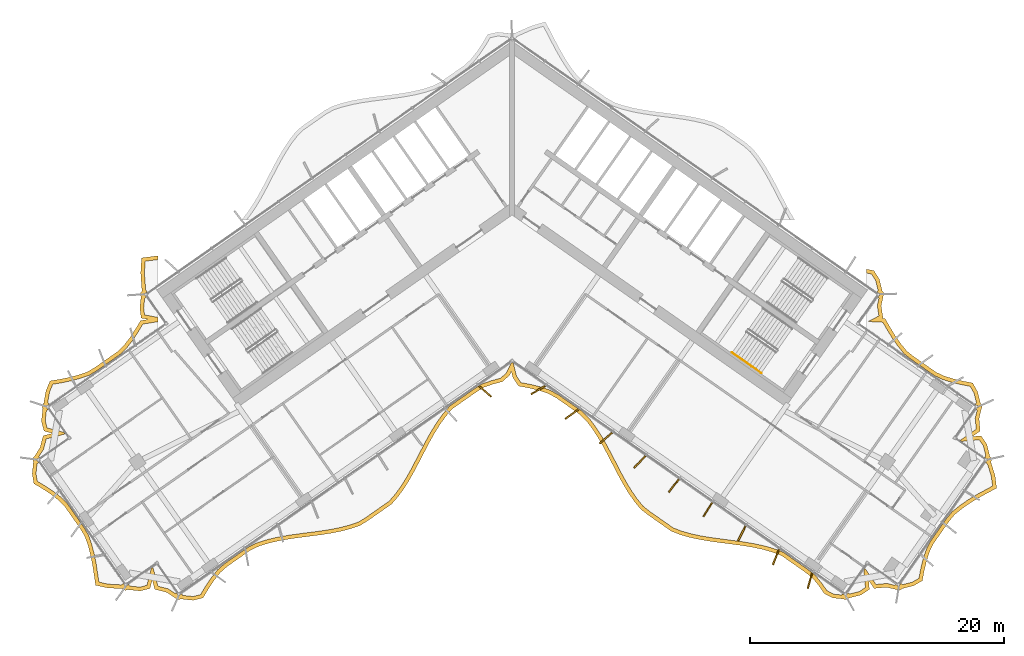
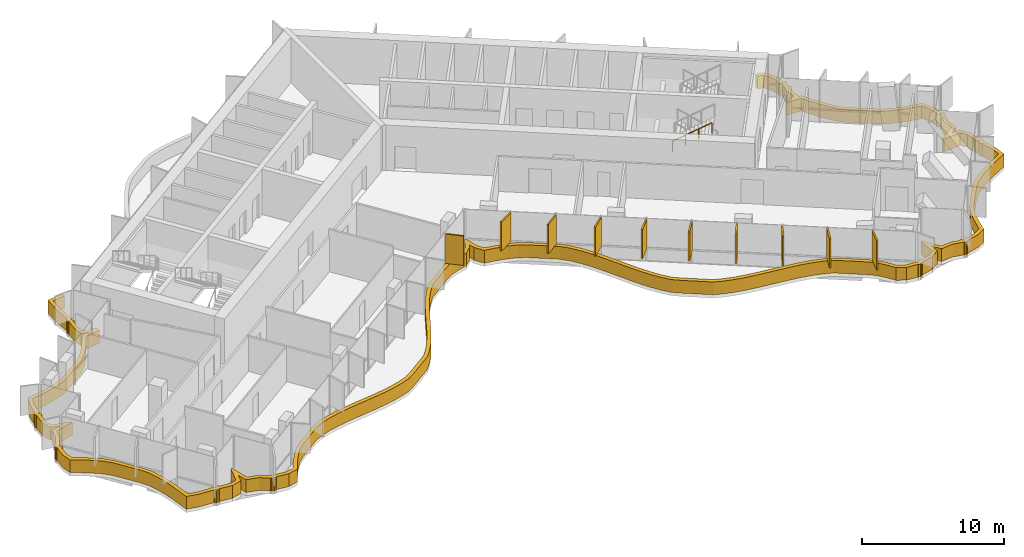
# One storey, part 21 of 23: 11 shading devices, 1 railing.
"""IFC4 building model written with IfcOpenShell, lengths in metres."""

from ifc_helpers import new_model, si_unit, direction, frame, origin, origin_2d, place, context, subcontext, project, spatial, polyline, rectangle, circle, outline, extrude, material, layer, layer_set, type_object, element, save


model = new_model("IFC4")

# Units and contexts
model_context = context("Model", 3, precision=1e-05, world=origin(), true_north=direction((0.0, 1.0)))
body_context = subcontext(model_context, "Body", "Model", "MODEL_VIEW")
ifc_project = project(units=[si_unit("LENGTHUNIT", "METRE"), si_unit("AREAUNIT", "SQUARE_METRE"), si_unit("VOLUMEUNIT", "CUBIC_METRE"), si_unit("PLANEANGLEUNIT", "RADIAN"), si_unit("MASSUNIT", "GRAM", prefix="KILO")], contexts=[model_context])

# Site, building, storey
site_placement = place(None, origin())
site = spatial("IfcSite", under=ifc_project, at=site_placement, CompositionType="ELEMENT")
building_placement = place(site_placement, origin())
building = spatial("IfcBuilding", under=site, at=building_placement, Name="Tel Ilan Convention Tower", CompositionType="ELEMENT")
storey_placement = place(building_placement, frame((0.0, 0.0, 186.60009765625)))
storey = spatial("IfcBuildingStorey", under=building, at=storey_placement, Name="L43", CompositionType="ELEMENT", Elevation=186.60009765625)

# Shading devices
ifc_material_1 = material(Name="Aluminium, bronze anodised", Category="aluminium")
ifc_layer_1 = layer(ifc_material_1, 0.1201171875)
ifc_layer_set_1 = layer_set([ifc_layer_1], Name="FIN BRONZE 1300x120")
shading_device_type_1 = type_object("IfcShadingDeviceType", Name="FIN BRONZE 1300x120", PredefinedType="USERDEFINED", material=ifc_layer_set_1)
for number, where, z_axis, x_axis, name in (
    (1, (-2.12744140625, -15.09521484375, 1.099853515625), (0.0, 0.0, 1.0), (0.753435896329, -0.657521368568, 0.0), "FIN"),
    (2, (2.048095703125, -15.001708984375, 1.099853515625), (0.0, 0.0, 1.0), (-0.866025403784, -0.5, 0.0), "FIN"),
    (3, (4.71044921875, -16.888427734375, 1.099853515625), (0.0, 0.0, 1.0), (-0.813552070258, -0.581492071294, 0.0), "FIN"),
    (4, (7.3779296875, -18.771484375, 1.099853515625), (0.0, 0.0, 1.0), (-0.753435896329, -0.657521368568, 0.0), "FIN"),
    (5, (10.050048828125, -20.650390625, 1.099853515625), (0.0, 0.0, 1.0), (-0.686241637865, -0.727373641577, 0.0), "FIN"),
    (6, (12.7265625, -22.52490234375, 1.099853515625), (0.0, 0.0, 1.0), (-0.612600545196, -0.790392669516, 0.0), "FIN"),
    (7, (15.4033203125, -24.399169921875, 1.099853515625), (0.0, 0.0, 1.0), (-0.533204432798, -0.845986425922, 0.0), "FIN"),
    (8, (18.080078125, -26.27294921875, 1.099853515625), (0.0, 0.0, 1.0), (-0.448799180206, -0.893632640321, 0.0), "FIN"),
    (9, (20.759521484375, -28.141357421875, 1.099853515625), (0.0, 0.0, 1.0), (-0.360177724803, -0.932883704733, 0.0), "FIN"),
    (10, (23.44140625, -30.00390625, 1.099853515625), (0.0, 0.0, 1.0), (-0.268172612768, -0.963370878614, 0.0), "FIN"),
):
    element("IfcShadingDevice", number, at=place(storey_placement, frame(where, z_axis=z_axis, x_axis=x_axis)), inside=storey, type_object=shading_device_type_1, Name=name, ObjectType="FIN", PredefinedType="USERDEFINED", context=body_context, shape_type="SweptSolid", body=[
        extrude(rectangle(XDim=1.300048828125, YDim=0.1201171875, at=origin_2d()), origin(), (0.0, 0.0, 1.0), 2.52001953125),
    ])
ifc_material_2 = material(Name="Aluminium, bronze anodised", Category="aluminium")
ifc_layer_2 = layer(ifc_material_2, 0.300048828125)
ifc_layer_set_2 = layer_set([ifc_layer_2], Name="LOUVRE BAND 300x1100")
shading_device_type_2 = type_object("IfcShadingDeviceType", Name="LOUVRE BAND 300x1100", PredefinedType="USERDEFINED", material=ifc_layer_set_2)
shading_device_placement = place(storey_placement, origin())
element("IfcShadingDevice", 11, at=shading_device_placement, inside=storey, type_object=shading_device_type_2, Name="LOUVRE BAND 33.01", ObjectType="LOUVRE", PredefinedType="USERDEFINED", context=body_context, shape_type="SweptSolid", body=[
    extrude(outline(polyline([(-37.76904296875, -21.58447265625), (-37.634765625, -22.36669921875), (-36.95703125, -22.768310546875), (-36.311767578125, -23.192626953125), (-35.712890625, -23.649169921875), (-35.203857421875, -24.1689453125), (-33.968994140625, -25.932373046875), (-33.60498046875, -26.5537109375), (-33.363525390625, -27.2607421875), (-33.17138671875, -28.002197265625), (-33.01904296875, -28.771728515625), (-32.89599609375, -29.5615234375), (-32.782958984375, -30.358642578125), (-31.836181640625, -30.571533203125), (-30.67138671875, -30.632080078125), (-30.642333984375, -30.67529296875), (-30.544921875, -30.740478515625), (-30.43017578125, -30.76318359375), (-30.3154296875, -30.740478515625), (-30.261474609375, -30.704345703125), (-29.26904296875, -30.81396484375), (-28.4951171875, -30.611572265625), (-28.31640625, -29.930908203125), (-28.12109375, -30.677734375), (-27.170166015625, -30.92724609375), (-26.497802734375, -31.3720703125), (-26.4931640625, -31.368896484375), (-26.464111328125, -31.412109375), (-26.366943359375, -31.47705078125), (-26.251953125, -31.5), (-26.13720703125, -31.47705078125), (-26.083251953125, -31.441162109375), (-25.097412109375, -31.54931640625), (-24.322021484375, -31.357421875), (-23.90576171875, -30.652587890625), (-23.4609375, -29.988525390625), (-22.980224609375, -29.375732421875), (-22.4169921875, -28.880859375), (-20.58544921875, -27.598388671875), (-19.900146484375, -27.277587890625), (-19.150634765625, -27.048583984375), (-18.36669921875, -26.86865234375), (-17.556396484375, -26.726806640625), (-16.728515625, -26.609619140625), (-15.0595703125, -26.39404296875), (-14.239013671875, -26.266845703125), (-13.4404296875, -26.10791015625), (-12.672119140625, -25.90576171875), (-11.941650390625, -25.649658203125), (-11.30908203125, -25.253662109375), (-9.4775390625, -23.97119140625), (-8.9716796875, -23.39404296875), (-8.509033203125, -22.75537109375), (-8.0791015625, -22.0703125), (-7.673583984375, -21.35009765625), (-6.508056640625, -19.1162109375), (-6.103271484375, -18.39501953125), (-5.67431640625, -17.708251953125), (-5.213134765625, -17.067626953125), (-4.7119140625, -16.483642578125), (-2.88037109375, -15.201416015625), (-2.25146484375, -14.800048828125), (-1.5224609375, -14.5419921875), (-0.755615234375, -14.337890625), (-0.200439453125, -13.831298828125), (-0.055419921875, -13.532470703125), (0.06640625, -14.0224609375), (0.51220703125, -14.685546875), (1.31689453125, -14.835693359375), (2.093017578125, -15.0263671875), (2.833251953125, -15.268798828125), (3.490966796875, -15.62890625), (5.322509765625, -16.9111328125), (5.858154296875, -17.445556640625), (6.329833984375, -18.071533203125), (6.76708984375, -18.74658203125), (7.177734375, -19.45947265625), (7.57080078125, -20.197509765625), (8.343994140625, -21.69189453125), (8.744384765625, -22.41943359375), (9.166748046875, -23.11572265625), (9.61962890625, -23.768310546875), (10.110107421875, -24.3671875), (10.698486328125, -24.826171875), (12.530029296875, -26.108642578125), (13.245361328125, -26.386474609375), (14.003662109375, -26.602783203125), (14.794677734375, -26.7724609375), (15.610107421875, -26.9072265625), (18.10791015625, -27.238525390625), (18.924072265625, -27.3720703125), (19.716064453125, -27.54052734375), (20.475830078125, -27.7548828125), (21.19580078125, -28.02587890625), (23.02734375, -29.308349609375), (23.619384765625, -29.76220703125), (24.111328125, -30.35888671875), (24.565673828125, -31.009765625), (25.2314453125, -31.358154296875), (26.083251953125, -31.441162109375), (26.13720703125, -31.47705078125), (26.251953125, -31.5), (26.366943359375, -31.47705078125), (26.464111328125, -31.412109375), (26.4931640625, -31.368896484375), (27.463134765625, -31.132568359375), (28.12109375, -30.677734375), (28.056396484375, -29.976806640625), (28.4951171875, -30.611572265625), (29.47412109375, -30.52099609375), (30.258056640625, -30.708984375), (30.261474609375, -30.704345703125), (30.3154296875, -30.740478515625), (30.43017578125, -30.76318359375), (30.544921875, -30.740478515625), (30.642333984375, -30.67529296875), (30.67138671875, -30.632080078125), (31.5947265625, -30.402587890625), (32.283447265625, -30.0087890625), (32.42919921875, -29.234619140625), (32.607177734375, -28.483154296875), (32.83154296875, -27.764404296875), (33.145751953125, -27.108154296875), (34.380615234375, -25.344482421875), (34.83984375, -24.7900390625), (35.421630859375, -24.3212890625), (36.052734375, -23.88720703125), (36.7236328125, -23.48095703125), (37.423828125, -23.09521484375), (38.134033203125, -22.71630859375), (38.010498046875, -21.753662109375), (37.6689453125, -20.638427734375), (37.705078125, -20.58447265625), (37.727783203125, -20.4697265625), (37.705078125, -20.354736328125), (37.639892578125, -20.257568359375), (37.5966796875, -20.228515625), (37.3603515625, -19.258544921875), (36.905517578125, -18.6005859375), (36.20458984375, -18.665283203125), (36.839599609375, -18.2265625), (36.748779296875, -17.24755859375), (36.936767578125, -16.463623046875), (36.93212890625, -16.460205078125), (36.96826171875, -16.40625), (36.9912109375, -16.29150390625), (36.96826171875, -16.1767578125), (36.9033203125, -16.079345703125), (36.85986328125, -16.05029296875), (36.63134765625, -15.134521484375), (36.246826171875, -14.44140625), (35.47900390625, -14.2958984375), (34.732177734375, -14.1201171875), (34.017333984375, -13.899169921875), (33.361328125, -13.59375), (31.6103515625, -12.36767578125), (31.052978515625, -11.921630859375), (30.5849609375, -11.347900390625), (30.151123046875, -10.72509765625), (29.74560546875, -10.06201171875), (29.356201171875, -9.3759765625), (29.132080078125, -9.36474609375), (29.19384765625, -9.332763671875), (29.044921875, -8.373779296875), (29.20458984375, -7.631103515625), (29.199951171875, -7.6279296875), (29.236083984375, -7.57373046875), (29.2587890625, -7.458984375), (29.236083984375, -7.34423828125), (29.1708984375, -7.246826171875), (29.127685546875, -7.218017578125), (28.894287109375, -6.267333984375), (28.465576171875, -5.595458984375), (27.874755859375, -5.485595703125), (27.874755859375, -5.790771484375), (28.28271484375, -5.86669921875), (28.614990234375, -6.387451171875), (28.806640625, -7.1533203125), (28.713134765625, -7.286865234375), (28.958740234375, -7.458984375), (28.787353515625, -7.705322265625), (28.869384765625, -7.7626953125), (28.73974609375, -8.364990234375), (28.8642578125, -9.165283203125), (28.0048828125, -9.60888671875), (29.1767578125, -9.66748046875), (29.4873046875, -10.21435546875), (29.89990234375, -10.88916015625), (30.34521484375, -11.528564453125), (30.840576171875, -12.135986328125), (31.430419921875, -12.60791015625), (33.2109375, -13.8544921875), (33.9091796875, -14.1796875), (34.653564453125, -14.409912109375), (35.416748046875, -14.58935546875), (36.052734375, -14.7099609375), (36.35009765625, -15.24609375), (36.53857421875, -15.986328125), (36.4453125, -16.119384765625), (36.691162109375, -16.29150390625), (36.519775390625, -16.53759765625), (36.597412109375, -16.592041015625), (36.445556640625, -17.225830078125), (36.524658203125, -18.07958984375), (35.261474609375, -18.95263671875), (35.38916015625, -19.042236328125), (36.758544921875, -18.915283203125), (37.082275390625, -19.384033203125), (37.27587890625, -20.16357421875), (37.18212890625, -20.297607421875), (37.427734375, -20.4697265625), (37.25634765625, -20.7158203125), (37.41650390625, -20.827880859375), (37.716064453125, -21.816650390625), (37.810302734375, -22.549072265625), (36.573486328125, -23.22119140625), (35.889892578125, -23.635009765625), (35.2421875, -24.08056640625), (34.6279296875, -24.575439453125), (34.141845703125, -25.16259765625), (32.8857421875, -26.956298828125), (32.551513671875, -27.654296875), (32.317626953125, -28.40380859375), (32.1357421875, -29.17236328125), (32.014404296875, -29.817138671875), (31.481201171875, -30.121826171875), (30.7353515625, -30.310791015625), (30.602294921875, -30.217529296875), (30.43017578125, -30.46337890625), (30.18408203125, -30.291748046875), (30.129638671875, -30.36962890625), (29.495849609375, -30.2177734375), (28.64208984375, -30.296875), (27.76904296875, -29.03369140625), (27.679443359375, -29.161376953125), (27.806396484375, -30.530517578125), (27.337646484375, -30.8544921875), (26.55810546875, -31.048095703125), (26.424072265625, -30.954345703125), (26.251953125, -31.199951171875), (26.005859375, -31.028564453125), (25.935302734375, -31.129150390625), (25.319580078125, -31.065673828125), (24.76953125, -30.77783203125), (24.3505859375, -30.177490234375), (23.8291015625, -29.544921875), (23.204833984375, -29.06640625), (21.3369140625, -27.758544921875), (20.569580078125, -27.469482421875), (19.7880859375, -27.2490234375), (18.9794921875, -27.077392578125), (18.15234375, -26.941650390625), (15.65478515625, -26.610595703125), (14.8505859375, -26.477783203125), (14.076416015625, -26.3115234375), (13.341064453125, -26.101806640625), (12.67236328125, -25.842041015625), (10.876953125, -24.5849609375), (10.321044921875, -24.1513671875), (9.859375, -23.58740234375), (9.41845703125, -22.9521484375), (9.004150390625, -22.269287109375), (8.608642578125, -21.55029296875), (7.83642578125, -20.058349609375), (7.440185546875, -19.31396484375), (7.02294921875, -18.590087890625), (6.575927734375, -17.8994140625), (6.085205078125, -17.248046875), (5.515869140625, -16.680419921875), (3.649658203125, -15.37353515625), (2.953125, -14.9921875), (2.17578125, -14.73779296875), (1.380126953125, -14.542236328125), (0.69091796875, -14.41357421875), (0.344970703125, -13.89892578125), (0.092041015625, -12.882568359375), (0.0, -12.818115234375), (-0.063720703125, -12.86279296875), (-0.445068359375, -13.6484375), (-0.903564453125, -14.06689453125), (-1.611328125, -14.255126953125), (-2.384033203125, -14.52880859375), (-3.04736328125, -14.951904296875), (-4.9150390625, -16.259765625), (-5.448974609375, -16.882080078125), (-5.923583984375, -17.541015625), (-6.361572265625, -18.241943359375), (-6.771728515625, -18.972900390625), (-7.93701171875, -21.20654296875), (-8.3369140625, -21.916748046875), (-8.7578125, -22.587646484375), (-9.20654296875, -23.206787109375), (-9.67919921875, -23.746337890625), (-11.474853515625, -25.00341796875), (-12.072509765625, -25.377685546875), (-12.760009765625, -25.61865234375), (-13.5078125, -25.8154296875), (-14.291259765625, -25.97119140625), (-15.102294921875, -26.09716796875), (-16.768310546875, -26.312255859375), (-17.603271484375, -26.430419921875), (-18.42626953125, -26.57470703125), (-19.22802734375, -26.7587890625), (-20.008056640625, -26.9970703125), (-20.736083984375, -27.337646484375), (-22.6025390625, -28.64453125), (-23.198974609375, -29.168701171875), (-23.7041015625, -29.81201171875), (-24.159912109375, -30.49267578125), (-24.516357421875, -31.096435546875), (-25.118408203125, -31.24560546875), (-25.91259765625, -31.161865234375), (-26.005859375, -31.028564453125), (-26.251953125, -31.199951171875), (-26.424072265625, -30.954345703125), (-26.502685546875, -31.00927734375), (-27.0458984375, -30.649658203125), (-27.875244140625, -30.43212890625), (-28.263916015625, -28.9462890625), (-28.3916015625, -29.035888671875), (-28.74072265625, -30.36572265625), (-29.2919921875, -30.510009765625), (-30.0908203125, -30.425048828125), (-30.18408203125, -30.291748046875), (-30.43017578125, -30.46337890625), (-30.602294921875, -30.217529296875), (-30.76318359375, -30.330078125), (-31.794677734375, -30.2734375), (-32.51513671875, -30.111328125), (-32.7236328125, -28.719482421875), (-32.878662109375, -27.935302734375), (-33.075927734375, -27.174560546875), (-33.330810546875, -26.427978515625), (-33.71630859375, -25.770263671875), (-34.97216796875, -23.9765625), (-35.513671875, -23.423828125), (-36.13818359375, -22.947509765625), (-36.798095703125, -22.513671875), (-37.362548828125, -22.17919921875), (-37.46630859375, -21.573974609375), (-37.388916015625, -20.80859375), (-37.25634765625, -20.7158203125), (-37.427734375, -20.4697265625), (-37.18212890625, -20.297607421875), (-37.237060546875, -20.218994140625), (-36.877685546875, -19.675537109375), (-36.659912109375, -18.846435546875), (-35.17431640625, -18.457763671875), (-35.263671875, -18.330078125), (-36.59375, -17.98095703125), (-36.73779296875, -17.4296875), (-36.653076171875, -16.630859375), (-36.519775390625, -16.53759765625), (-36.691162109375, -16.29150390625), (-36.4453125, -16.119384765625), (-36.5458984375, -15.9755859375), (-36.3974609375, -15.14111328125), (-36.1474609375, -14.54833984375), (-35.52734375, -14.443603515625), (-34.751953125, -14.28662109375), (-33.998779296875, -14.0869140625), (-33.2587890625, -13.8291015625), (-32.613525390625, -13.436279296875), (-30.8330078125, -12.189697265625), (-30.288818359375, -11.64453125), (-29.81787109375, -11.02392578125), (-29.38818359375, -10.3681640625), (-29.05712890625, -9.8115234375), (-27.874755859375, -9.6240234375), (-27.874755859375, -9.287353515625), (-28.923828125, -9.080322265625), (-28.992431640625, -8.5439453125), (-28.91943359375, -7.797607421875), (-28.787353515625, -7.705322265625), (-28.958740234375, -7.458984375), (-28.713134765625, -7.286865234375), (-28.83740234375, -7.109375), (-28.93115234375, -5.783447265625), (-28.876953125, -4.86572265625), (-27.874755859375, -4.735107421875), (-27.874755859375, -4.4326171875), (-29.161865234375, -4.60107421875), (-29.231689453125, -5.78515625), (-29.127685546875, -7.218017578125), (-29.1708984375, -7.246826171875), (-29.236083984375, -7.34423828125), (-29.2587890625, -7.458984375), (-29.236083984375, -7.57373046875), (-29.199951171875, -7.6279296875), (-29.29443359375, -8.548583984375), (-29.19384765625, -9.332763671875), (-28.64111328125, -9.44189453125), (-29.2431640625, -9.537353515625), (-29.642578125, -10.209228515625), (-30.06298828125, -10.850830078125), (-30.515380859375, -11.447021484375), (-31.02685546875, -11.958984375), (-32.777587890625, -13.18505859375), (-33.387451171875, -13.55615234375), (-34.086669921875, -13.7998046875), (-34.8203125, -13.994384765625), (-35.58203125, -14.148681640625), (-36.35986328125, -14.280029296875), (-36.686767578125, -15.055419921875), (-36.85986328125, -16.05029296875), (-36.9033203125, -16.079345703125), (-36.96826171875, -16.1767578125), (-36.9912109375, -16.29150390625), (-36.96826171875, -16.40625), (-36.93212890625, -16.460205078125), (-37.0419921875, -17.45263671875), (-36.839599609375, -18.2265625), (-36.15869140625, -18.4052734375), (-36.905517578125, -18.6005859375), (-37.1552734375, -19.551513671875), (-37.599853515625, -20.223876953125), (-37.5966796875, -20.228515625), (-37.639892578125, -20.257568359375), (-37.705078125, -20.354736328125), (-37.727783203125, -20.4697265625), (-37.705078125, -20.58447265625), (-37.6689453125, -20.638427734375), (-37.76904296875, -21.58447265625)])), origin(), (0.0, 0.0, 1.0), 1.099853515625),
])

# Railing
ifc_material_3 = material(Name="Stainless Steel Grade 316", Category="steel")
railing_type = type_object("IfcRailingType", Name="Stainless Steel Stair Handrail 900 mm", PredefinedType="HANDRAIL", material=ifc_material_3)
railing_placement = place(storey_placement, frame((17.312744140625, -12.0615234375, 2.127197265625)))
element("IfcRailing", 12, at=railing_placement, inside=storey, type_object=railing_type, Name="L43 S4 stair handrail 2", PredefinedType="HANDRAIL", context=body_context, shape_type="SweptSolid", body=[
    extrude(circle(Radius=0.02392578125, at=origin_2d()), frame((0.0, 0.0, 0.8759765625), z_axis=(0.692123088272, -0.484596665743, 0.534912798717), x_axis=(0.573550118428, 0.819170471667, 0.0)), (0.0, 0.0, 1.0), 3.31396484375),
    extrude(circle(Radius=0.02099609375, at=origin_2d()), origin(), (0.0, 0.0, 1.0), 0.851806640625),
    extrude(circle(Radius=0.02099609375, at=origin_2d()), frame((0.7646484375, -0.535400390625, 0.5908203125)), (0.0, 0.0, 1.0), 0.851806640625),
    extrude(circle(Radius=0.02099609375, at=origin_2d()), frame((1.529052734375, -1.070556640625, 1.181884765625)), (0.0, 0.0, 1.0), 0.851806640625),
    extrude(circle(Radius=0.02099609375, at=origin_2d()), frame((2.293701171875, -1.60595703125, 1.772705078125)), (0.0, 0.0, 1.0), 0.851806640625),
])

save(model, "model.ifc")
